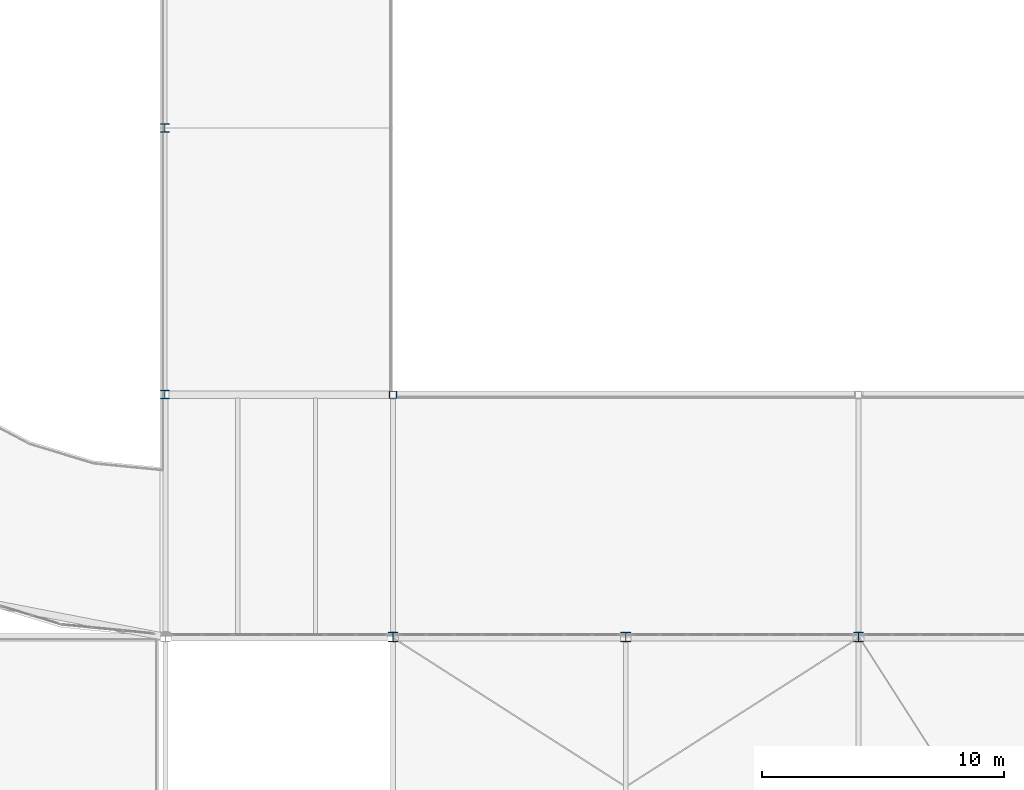
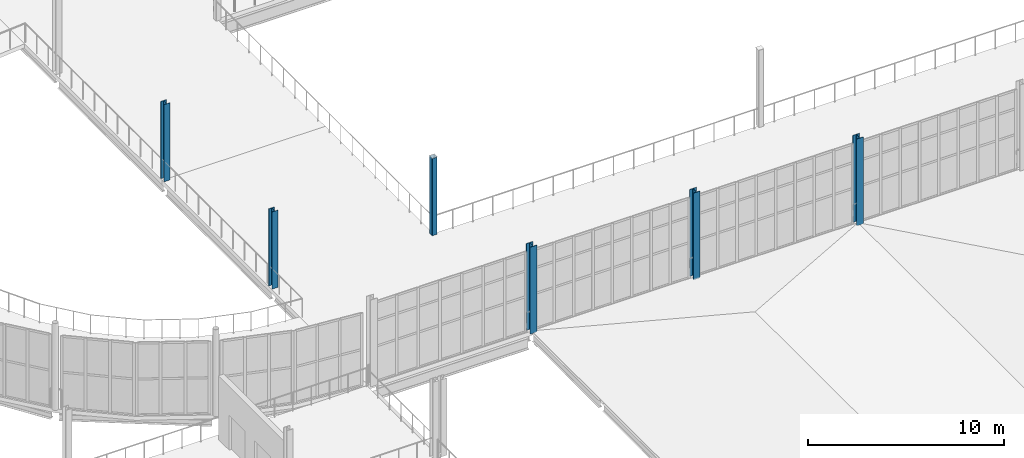
# One storey, part 4 of 112: 6 columns.
"""IFC4 building model written with IfcOpenShell, lengths in metres."""

from ifc_helpers import new_model, si_unit, direction, frame, origin, origin_2d, place, context, subcontext, project, spatial, hollow_rectangle, i_section, extrude, material, material_profile, profile_set, type_object, element, save


model = new_model("IFC4")

# Units and contexts
model_context = context("Model", 3, precision=1e-05, world=origin(), true_north=direction((0.0, 1.0)))
body_context = subcontext(model_context, "Body", "Model", "MODEL_VIEW")
ifc_project = project(units=[si_unit("LENGTHUNIT", "METRE"), si_unit("AREAUNIT", "SQUARE_METRE"), si_unit("VOLUMEUNIT", "CUBIC_METRE"), si_unit("PLANEANGLEUNIT", "RADIAN"), si_unit("MASSUNIT", "GRAM", prefix="KILO")], contexts=[model_context])

# Site, building, storey
site_placement = place(None, origin())
site = spatial("IfcSite", under=ifc_project, at=site_placement, CompositionType="ELEMENT")
building_placement = place(site_placement, origin())
building = spatial("IfcBuilding", under=site, at=building_placement, Name="Yeouljin Market Hall", CompositionType="ELEMENT")
storey_placement = place(building_placement, frame((0.0, 0.0, 6.0)))
storey = spatial("IfcBuildingStorey", under=building, at=storey_placement, Name="L01", CompositionType="ELEMENT", Elevation=6.0)

# Columns
ifc_material_1 = material(Name="Steel SM355", Category="steel")
ifc_material_profile_1 = material_profile(ifc_material_1, i_section(OverallWidth=0.35009765625, OverallDepth=0.35009765625, WebThickness=0.011962890625, FlangeThickness=0.01904296875, FilletRadius=0.02001953125, at=origin_2d()), Name="H-350x350x12x19")
ifc_profile_set_1 = profile_set([ifc_material_profile_1], Name="Steel SM355")
column_type_1 = type_object("IfcColumnType", Name="Col_H-350x350x12x19", PredefinedType="COLUMN", material=ifc_profile_set_1)
for number, where, z_axis, x_axis, name in (
    (1, (35.590087890625, 46.0, 0.0), (0.0, 0.0, 1.0), (1.0, 0.0, 0.0), "Column G-05-05 (L01)"),
    (2, (35.590087890625, 57.0, 0.0), (0.0, 0.0, 1.0), (1.0, 0.0, 0.0), "Column G-05-06 (L01)"),
):
    element("IfcColumn", number, at=place(storey_placement, frame(where, z_axis=z_axis, x_axis=x_axis)), inside=storey, type_object=column_type_1, Name=name, PredefinedType="COLUMN", context=body_context, shape_type="SweptSolid", body=[
        extrude(i_section(OverallWidth=0.35009765625, OverallDepth=0.35009765625, WebThickness=0.011962890625, FlangeThickness=0.01904296875, FilletRadius=0.02001953125, at=origin_2d()), origin(), (0.0, 0.0, 1.0), 4.800048828125),
    ])
ifc_material_2 = material(Name="Steel SM355", Category="steel")
ifc_material_profile_2 = material_profile(ifc_material_2, i_section(OverallWidth=0.39990234375, OverallDepth=0.39990234375, WebThickness=0.012939453125, FlangeThickness=0.02099609375, FilletRadius=0.02197265625, at=origin_2d()), Name="H-400x400x13x21")
ifc_profile_set_2 = profile_set([ifc_material_profile_2], Name="Steel SM355")
column_type_2 = type_object("IfcColumnType", Name="Col_H-400x400x13x21", PredefinedType="COLUMN", material=ifc_profile_set_2)
for number, where, z_axis, x_axis, name in (
    (3, (45.0, 36.0, 0.0), (0.0, 0.0, 1.0), (1.0, 0.0, 0.0), "Column G-06-04 (L01)"),
    (4, (54.60009765625, 36.0, 0.0), (0.0, 0.0, 1.0), (1.0, 0.0, 0.0), "Column G-07-04 (L01)"),
    (5, (64.199951171875, 36.0, 0.0), (0.0, 0.0, 1.0), (1.0, 0.0, 0.0), "Column G-08-04 (L01)"),
):
    element("IfcColumn", number, at=place(storey_placement, frame(where, z_axis=z_axis, x_axis=x_axis)), inside=storey, type_object=column_type_2, Name=name, PredefinedType="COLUMN", context=body_context, shape_type="SweptSolid", body=[
        extrude(i_section(OverallWidth=0.39990234375, OverallDepth=0.39990234375, WebThickness=0.012939453125, FlangeThickness=0.02099609375, FilletRadius=0.02197265625, at=origin_2d()), origin(), (0.0, 0.0, 1.0), 5.39990234375),
    ])
ifc_material_3 = material(Name="Steel SM355", Category="steel")
ifc_material_profile_3 = material_profile(ifc_material_3, hollow_rectangle(XDim=0.300048828125, YDim=0.300048828125, WallThickness=0.010009765625, InnerFilletRadius=0.010009765625, OuterFilletRadius=0.01611328125, at=origin_2d()), Name="SHS-300x300x10")
ifc_profile_set_3 = profile_set([ifc_material_profile_3], Name="Steel SM355")
column_type_3 = type_object("IfcColumnType", Name="Col_SHS-300x300x10", PredefinedType="COLUMN", material=ifc_profile_set_3)
column_placement = place(storey_placement, frame((45.0, 46.0, 0.0), z_axis=(0.0, 0.0, 1.0), x_axis=(1.0, 0.0, 0.0)))
element("IfcColumn", 6, at=column_placement, inside=storey, type_object=column_type_3, Name="Column G-06-05 (L01)", PredefinedType="COLUMN", context=body_context, shape_type="SweptSolid", body=[
    extrude(hollow_rectangle(XDim=0.300048828125, YDim=0.300048828125, WallThickness=0.010009765625, InnerFilletRadius=0.010009765625, OuterFilletRadius=0.01611328125, at=origin_2d()), origin(), (0.0, 0.0, 1.0), 4.800048828125),
])

save(model, "model.ifc")
